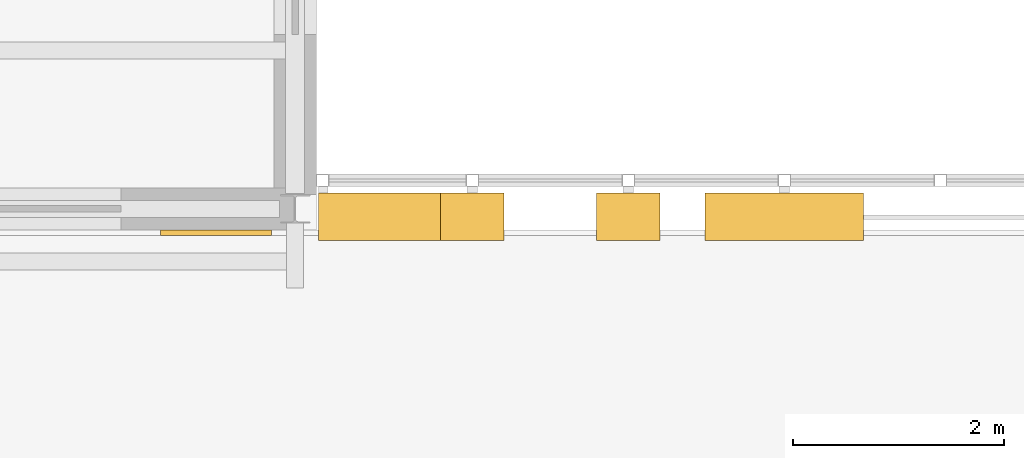
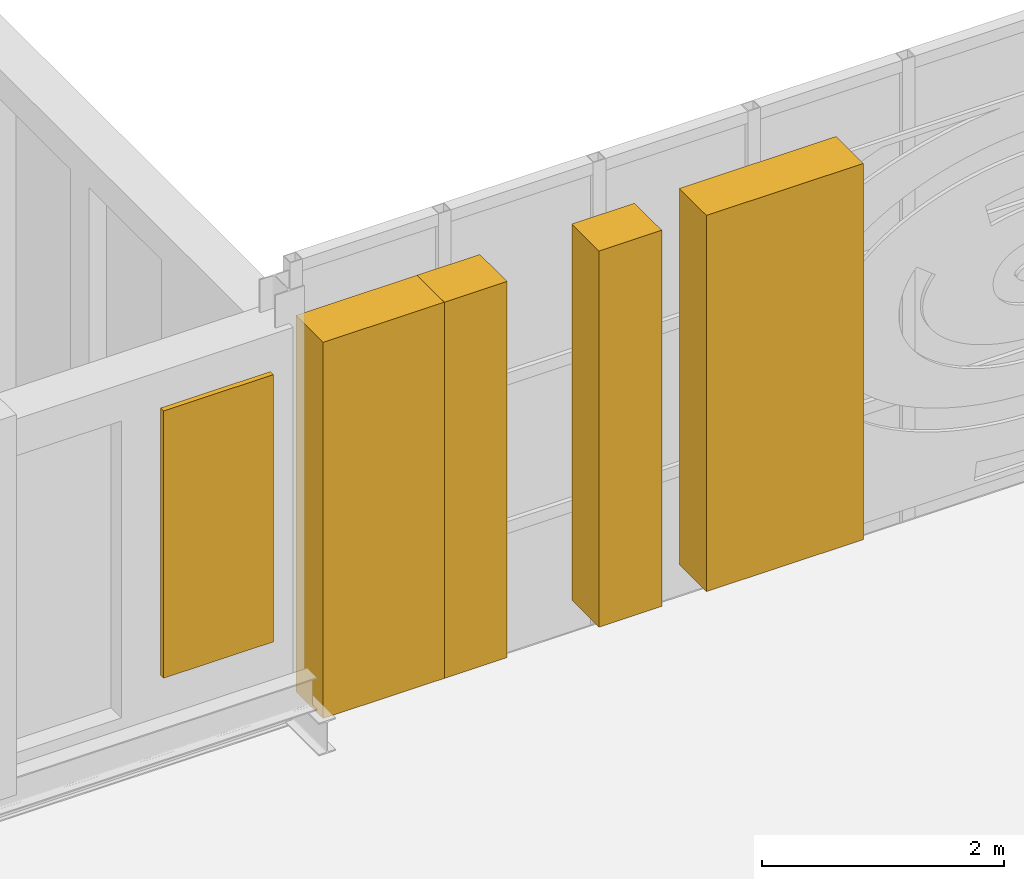
# One storey, part 114 of 134: 5 coverings.
"""IFC4 building model written with IfcOpenShell, lengths in metres."""

from ifc_helpers import new_model, si_unit, direction, frame, origin, place, context, subcontext, project, spatial, polyline, outline, extrude, material, layer, layer_set, type_object, element, save


model = new_model("IFC4")

# Units and contexts
model_context = context("Model", 3, precision=1e-05, world=origin(), true_north=direction((0.0, 1.0)))
body_context = subcontext(model_context, "Body", "Model", "MODEL_VIEW")
ifc_project = project(units=[si_unit("LENGTHUNIT", "METRE"), si_unit("AREAUNIT", "SQUARE_METRE"), si_unit("VOLUMEUNIT", "CUBIC_METRE"), si_unit("PLANEANGLEUNIT", "RADIAN"), si_unit("MASSUNIT", "GRAM", prefix="KILO")], contexts=[model_context])

# Site, building, storey
site_placement = place(None, origin())
site = spatial("IfcSite", under=ifc_project, at=site_placement, CompositionType="ELEMENT")
building_placement = place(site_placement, origin())
building = spatial("IfcBuilding", under=site, at=building_placement, Name="Golden Quay Civic Hall", CompositionType="ELEMENT")
storey_placement = place(building_placement, frame((0.0, 0.0, 5.39990234375)))
storey = spatial("IfcBuildingStorey", under=building, at=storey_placement, Name="L01", CompositionType="ELEMENT", Elevation=5.39990234375)

# Coverings
ifc_material_1 = material(Name="Terracotta cladding, golden glaze", Category="masonry")
covering_type_1 = type_object("IfcCoveringType", Name="Terracotta hall screen minor pier 600 x 450", PredefinedType="CLADDING", material=ifc_material_1)
covering_1_placement = place(storey_placement, origin())
element("IfcCovering", 1, at=covering_1_placement, inside=storey, type_object=covering_type_1, Name="Hall screen minor pier south L01 1", PredefinedType="CLADDING", context=body_context, shape_type="SweptSolid", body=[
    extrude(outline(polyline([(73.3779296875, -0.300048828125), (73.97802734375, -0.300048828125), (73.97802734375, 0.14990234375), (73.3779296875, 0.14990234375), (73.3779296875, -0.300048828125)])), origin(), (0.0, 0.0, 1.0), 3.800048828125),
])
covering_2_placement = place(storey_placement, origin())
element("IfcCovering", 2, at=covering_2_placement, inside=storey, type_object=covering_type_1, Name="Hall screen minor pier south L01 2", PredefinedType="CLADDING", context=body_context, shape_type="SweptSolid", body=[
    extrude(outline(polyline([(74.85595703125, -0.300048828125), (75.4560546875, -0.300048828125), (75.4560546875, 0.14990234375), (74.85595703125, 0.14990234375), (74.85595703125, -0.300048828125)])), origin(), (0.0, 0.0, 1.0), 3.800048828125),
])
ifc_material_2 = material(Name="Terracotta cladding, golden glaze", Category="masonry")
covering_type_2 = type_object("IfcCoveringType", Name="Terracotta hall screen pier 1500 x 450", PredefinedType="CLADDING", material=ifc_material_2)
covering_3_placement = place(storey_placement, origin())
element("IfcCovering", 3, at=covering_3_placement, inside=storey, type_object=covering_type_2, Name="Hall screen pier south L01 0", PredefinedType="CLADDING", context=body_context, shape_type="SweptSolid", body=[
    extrude(outline(polyline([(72.219970703125, -0.300048828125), (73.719970703125, -0.300048828125), (73.719970703125, 0.14990234375), (72.219970703125, 0.14990234375), (72.219970703125, -0.300048828125)])), origin(), (0.0, 0.0, 1.0), 3.800048828125),
])
covering_4_placement = place(storey_placement, origin())
element("IfcCovering", 4, at=covering_4_placement, inside=storey, type_object=covering_type_2, Name="Hall screen pier south L01 3", PredefinedType="CLADDING", context=body_context, shape_type="SweptSolid", body=[
    extrude(outline(polyline([(75.883056640625, -0.300048828125), (77.383056640625, -0.300048828125), (77.383056640625, 0.14990234375), (75.883056640625, 0.14990234375), (75.883056640625, -0.300048828125)])), origin(), (0.0, 0.0, 1.0), 3.800048828125),
])
ifc_material_3 = material(Name="Terracotta cladding, golden glaze", Category="masonry")
ifc_layer = layer(ifc_material_3, 0.050048828125)
ifc_layer_set = layer_set([ifc_layer], Name="Terracotta solid panel 1050 x 2700 x 50")
covering_type_3 = type_object("IfcCoveringType", Name="Terracotta solid panel 1050 x 2700 x 50", PredefinedType="CLADDING", material=ifc_layer_set)
covering_5_placement = place(storey_placement, frame((0.0, 0.0, 0.900146484375)))
element("IfcCovering", 5, at=covering_5_placement, inside=storey, type_object=covering_type_3, Name="Terracotta solid panel 1050 x 2700 x 50 L01 25", PredefinedType="CLADDING", context=body_context, shape_type="SweptSolid", body=[
    extrude(outline(polyline([(70.72509765625, -0.199951171875), (71.77490234375, -0.199951171875), (71.77490234375, -0.25), (70.72509765625, -0.25), (70.72509765625, -0.199951171875)])), origin(), (0.0, 0.0, 1.0), 2.699951171875),
])

save(model, "model.ifc")
